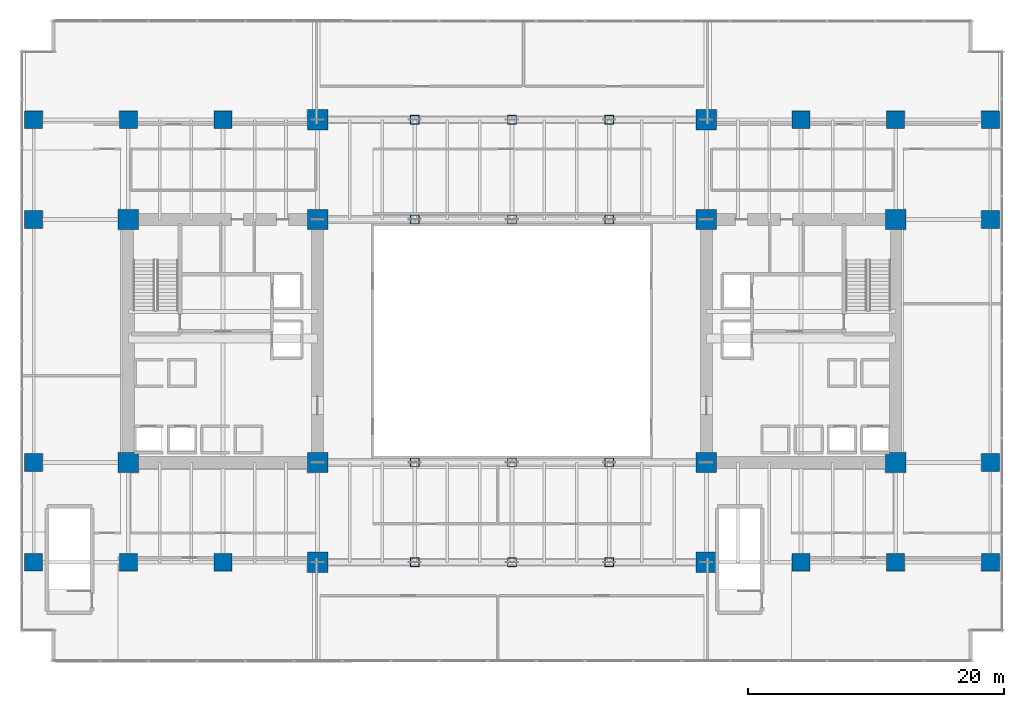
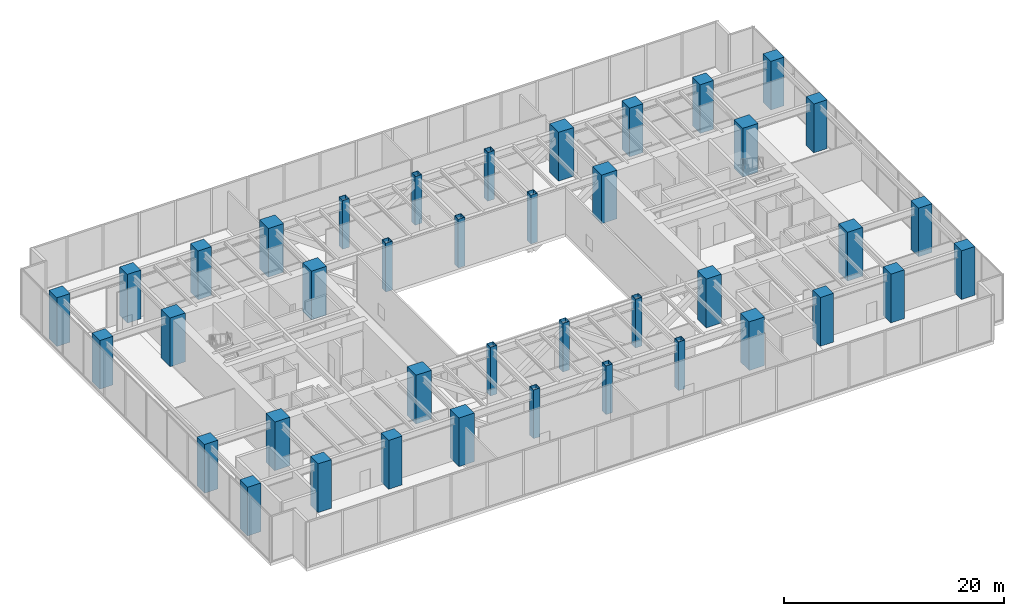
# One storey, part 1 of 35: 40 columns.
"""IFC4 building model written with IfcOpenShell, lengths in metres."""

from ifc_helpers import new_model, si_unit, direction, frame, origin, origin_2d, place, context, subcontext, project, spatial, rectangle, hollow_rectangle, extrude, source, transform, mapped, material, material_profile, profile_set, type_object, type_shapes, element, save


model = new_model("IFC4")

# Units and contexts
model_context = context("Model", 3, precision=1e-05, world=origin(), true_north=direction((0.0, 1.0)))
body_context = subcontext(model_context, "Body", "Model", "MODEL_VIEW")
ifc_project = project(units=[si_unit("LENGTHUNIT", "METRE"), si_unit("AREAUNIT", "SQUARE_METRE"), si_unit("VOLUMEUNIT", "CUBIC_METRE"), si_unit("PLANEANGLEUNIT", "RADIAN"), si_unit("MASSUNIT", "GRAM", prefix="KILO")], contexts=[model_context])

# Site, building, storey
site_placement = place(None, origin())
site = spatial("IfcSite", under=ifc_project, at=site_placement, CompositionType="ELEMENT")
building_placement = place(site_placement, origin())
building = spatial("IfcBuilding", under=site, at=building_placement, Name="Haelvirn Gate Laboratories", CompositionType="ELEMENT")
storey_placement = place(building_placement, frame((0.0, 0.0, 19.800048828125)))
storey = spatial("IfcBuildingStorey", under=building, at=storey_placement, Name="L05", CompositionType="ELEMENT", Elevation=19.800048828125)

# Columns
ifc_material_1 = material(Name="Concrete C70/85", Category="concrete")
ifc_material_profile_1 = material_profile(ifc_material_1, rectangle(XDim=1.39990234375, YDim=1.39990234375, at=origin_2d()), Name="SRC-1400x1400")
ifc_profile_set_1 = profile_set([ifc_material_profile_1], Name="Concrete C70/85")
column_type_1 = type_object("IfcColumnType", Name="COL-SRC-1400", PredefinedType="COLUMN", material=ifc_profile_set_1)
shared_shape_1 = source(origin(), body_context, "Body", "SweptSolid", [
    extrude(rectangle(XDim=1.39990234375, YDim=1.39990234375, at=origin_2d()), origin(), (0.0, 0.0, 1.0), 5.39990234375),
])
type_shapes(column_type_1, [shared_shape_1])
for number, where, z_axis, x_axis, name in (
    (1, (14.800048828125, 7.0, 0.0), (0.0, 0.0, 1.0), (1.0, 0.0, 0.0), "L05 Column 3B"),
    (2, (14.800048828125, 41.60009765625, 0.0), (0.0, 0.0, 1.0), (1.0, 0.0, 0.0), "L05 Column 3G"),
    (3, (60.0, 7.0, 0.0), (0.0, 0.0, 1.0), (1.0, 0.0, 0.0), "L05 Column 9B"),
    (4, (60.0, 41.60009765625, 0.0), (0.0, 0.0, 1.0), (1.0, 0.0, 0.0), "L05 Column 9G"),
    (5, (7.39990234375, 7.0, 0.0), (0.0, 0.0, 1.0), (1.0, 0.0, 0.0), "L05 Column 2B"),
    (6, (7.39990234375, 41.60009765625, 0.0), (0.0, 0.0, 1.0), (1.0, 0.0, 0.0), "L05 Column 2G"),
    (7, (67.39990234375, 7.0, 0.0), (0.0, 0.0, 1.0), (1.0, 0.0, 0.0), "L05 Column 10B"),
    (8, (67.39990234375, 41.60009765625, 0.0), (0.0, 0.0, 1.0), (1.0, 0.0, 0.0), "L05 Column 10G"),
    (9, (0.0, 7.0, 0.0), (0.0, 0.0, 1.0), (1.0, 0.0, 0.0), "L05 Column 1B"),
    (10, (0.0, 14.800048828125, 0.0), (0.0, 0.0, 1.0), (1.0, 0.0, 0.0), "L05 Column 1C"),
    (11, (0.0, 33.800048828125, 0.0), (0.0, 0.0, 1.0), (1.0, 0.0, 0.0), "L05 Column 1F"),
    (12, (0.0, 41.60009765625, 0.0), (0.0, 0.0, 1.0), (1.0, 0.0, 0.0), "L05 Column 1G"),
    (13, (74.800048828125, 7.0, 0.0), (0.0, 0.0, 1.0), (1.0, 0.0, 0.0), "L05 Column 11B"),
    (14, (74.800048828125, 14.800048828125, 0.0), (0.0, 0.0, 1.0), (1.0, 0.0, 0.0), "L05 Column 11C"),
    (15, (74.800048828125, 33.800048828125, 0.0), (0.0, 0.0, 1.0), (1.0, 0.0, 0.0), "L05 Column 11F"),
    (16, (74.800048828125, 41.60009765625, 0.0), (0.0, 0.0, 1.0), (1.0, 0.0, 0.0), "L05 Column 11G"),
):
    element("IfcColumn", number, at=place(storey_placement, frame(where, z_axis=z_axis, x_axis=x_axis)), inside=storey, type_object=column_type_1, Name=name, PredefinedType="COLUMN", context=body_context, shape_type="MappedRepresentation", body=[
        mapped(shared_shape_1, transform((0.0, 0.0, 0.0), scale=1.0)),
    ])
ifc_material_profile_2 = material_profile(ifc_material_1, rectangle(XDim=1.60009765625, YDim=1.60009765625, at=origin_2d()), Name="SRC-1600x1600")
ifc_profile_set_2 = profile_set([ifc_material_profile_2], Name="Concrete C70/85")
column_type_2 = type_object("IfcColumnType", Name="COL-SRC-1600", PredefinedType="COLUMN", material=ifc_profile_set_2)
shared_shape_2 = source(origin(), body_context, "Body", "SweptSolid", [
    extrude(rectangle(XDim=1.60009765625, YDim=1.60009765625, at=origin_2d()), origin(), (0.0, 0.0, 1.0), 5.39990234375),
])
type_shapes(column_type_2, [shared_shape_2])
for number, where, z_axis, x_axis, name in (
    (17, (22.199951171875, 7.0, 0.0), (0.0, 0.0, 1.0), (1.0, 0.0, 0.0), "L05 Column 4B"),
    (18, (7.39990234375, 14.800048828125, 0.0), (0.0, 0.0, 1.0), (1.0, 0.0, 0.0), "L05 Column 2C"),
    (19, (22.199951171875, 14.800048828125, 0.0), (0.0, 0.0, 1.0), (1.0, 0.0, 0.0), "L05 Column 4C"),
    (20, (7.39990234375, 33.800048828125, 0.0), (0.0, 0.0, 1.0), (1.0, 0.0, 0.0), "L05 Column 2F"),
    (21, (22.199951171875, 33.800048828125, 0.0), (0.0, 0.0, 1.0), (1.0, 0.0, 0.0), "L05 Column 4F"),
    (22, (22.199951171875, 41.60009765625, 0.0), (0.0, 0.0, 1.0), (1.0, 0.0, 0.0), "L05 Column 4G"),
    (23, (52.60009765625, 7.0, 0.0), (0.0, 0.0, 1.0), (1.0, 0.0, 0.0), "L05 Column 8B"),
    (24, (52.60009765625, 14.800048828125, 0.0), (0.0, 0.0, 1.0), (1.0, 0.0, 0.0), "L05 Column 8C"),
    (25, (67.39990234375, 14.800048828125, 0.0), (0.0, 0.0, 1.0), (1.0, 0.0, 0.0), "L05 Column 10C"),
    (26, (52.60009765625, 33.800048828125, 0.0), (0.0, 0.0, 1.0), (1.0, 0.0, 0.0), "L05 Column 8F"),
    (27, (67.39990234375, 33.800048828125, 0.0), (0.0, 0.0, 1.0), (1.0, 0.0, 0.0), "L05 Column 10F"),
    (28, (52.60009765625, 41.60009765625, 0.0), (0.0, 0.0, 1.0), (1.0, 0.0, 0.0), "L05 Column 8G"),
):
    element("IfcColumn", number, at=place(storey_placement, frame(where, z_axis=z_axis, x_axis=x_axis)), inside=storey, type_object=column_type_2, Name=name, PredefinedType="COLUMN", context=body_context, shape_type="MappedRepresentation", body=[
        mapped(shared_shape_2, transform((0.0, 0.0, 0.0), scale=1.0)),
    ])
ifc_material_2 = material(Name="Steel SM420", Category="steel")
ifc_material_profile_3 = material_profile(ifc_material_2, hollow_rectangle(XDim=0.699951171875, YDim=0.699951171875, WallThickness=0.031982421875, at=origin_2d()), Name="BOX-700x700x32")
ifc_profile_set_3 = profile_set([ifc_material_profile_3], Name="Steel SM420")
column_type_3 = type_object("IfcColumnType", Name="COL-BOX-700", PredefinedType="COLUMN", material=ifc_profile_set_3)
shared_shape_3 = source(origin(), body_context, "Body", "SweptSolid", [
    extrude(hollow_rectangle(XDim=0.699951171875, YDim=0.699951171875, WallThickness=0.031982421875, at=origin_2d()), origin(), (0.0, 0.0, 1.0), 5.39990234375),
])
type_shapes(column_type_3, [shared_shape_3])
for number, where, z_axis, x_axis, name in (
    (29, (29.800048828125, 7.0, 0.0), (0.0, 0.0, 1.0), (1.0, 0.0, 0.0), "L05 Column 5B"),
    (30, (29.800048828125, 14.800048828125, 0.0), (0.0, 0.0, 1.0), (1.0, 0.0, 0.0), "L05 Column 5C"),
    (31, (29.800048828125, 33.800048828125, 0.0), (0.0, 0.0, 1.0), (1.0, 0.0, 0.0), "L05 Column 5F"),
    (32, (29.800048828125, 41.60009765625, 0.0), (0.0, 0.0, 1.0), (1.0, 0.0, 0.0), "L05 Column 5G"),
    (33, (37.39990234375, 7.0, 0.0), (0.0, 0.0, 1.0), (1.0, 0.0, 0.0), "L05 Column 6B"),
    (34, (37.39990234375, 14.800048828125, 0.0), (0.0, 0.0, 1.0), (1.0, 0.0, 0.0), "L05 Column 6C"),
    (35, (37.39990234375, 33.800048828125, 0.0), (0.0, 0.0, 1.0), (1.0, 0.0, 0.0), "L05 Column 6F"),
    (36, (37.39990234375, 41.60009765625, 0.0), (0.0, 0.0, 1.0), (1.0, 0.0, 0.0), "L05 Column 6G"),
    (37, (45.0, 7.0, 0.0), (0.0, 0.0, 1.0), (1.0, 0.0, 0.0), "L05 Column 7B"),
    (38, (45.0, 14.800048828125, 0.0), (0.0, 0.0, 1.0), (1.0, 0.0, 0.0), "L05 Column 7C"),
    (39, (45.0, 33.800048828125, 0.0), (0.0, 0.0, 1.0), (1.0, 0.0, 0.0), "L05 Column 7F"),
    (40, (45.0, 41.60009765625, 0.0), (0.0, 0.0, 1.0), (1.0, 0.0, 0.0), "L05 Column 7G"),
):
    element("IfcColumn", number, at=place(storey_placement, frame(where, z_axis=z_axis, x_axis=x_axis)), inside=storey, type_object=column_type_3, Name=name, PredefinedType="COLUMN", context=body_context, shape_type="MappedRepresentation", body=[
        mapped(shared_shape_3, transform((0.0, 0.0, 0.0), scale=1.0)),
    ])

save(model, "model.ifc")
